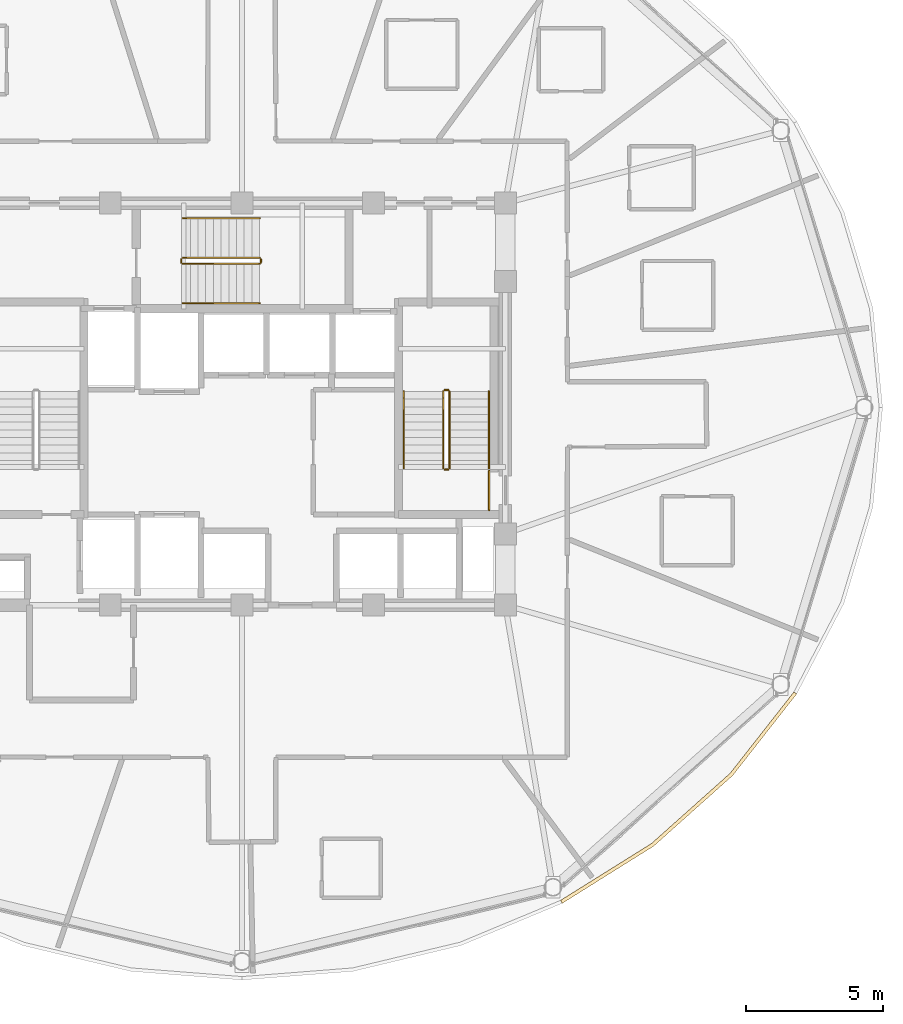
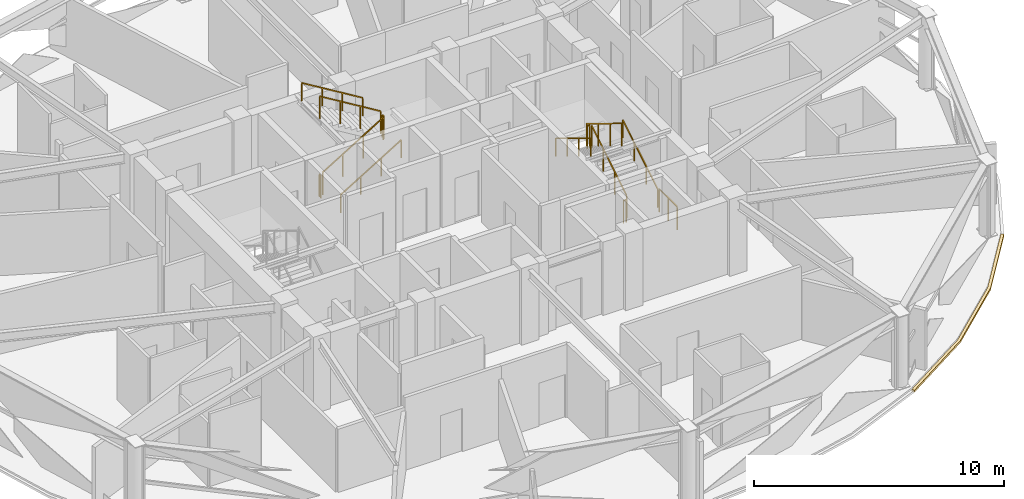
# One storey, part 29 of 30: 13 railings, 1 covering.
"""IFC4 building model written with IfcOpenShell, lengths in metres."""

import ifcopenshell
import ifcopenshell.guid

model = None  # the IFC model being written
_history = None  # IfcOwnerHistory: only IFC2X3 demands one
_inside = {}  # id of a spatial element -> (the spatial element, [elements in it])
_under = {}  # id of a project, library or spatial element -> (it, [spatial elements below it])
_declared = {}  # id of a project -> (the project, [libraries it declares])
_typed = {}  # id of a type object -> (the type object, [elements of that type])
_made_of = {}  # id of a material, layer set ... -> (it, [elements and type objects made of it])


def new_model(schema):
    """Start an empty IFC model of exactly this schema.

    Asked for "IFC4X3", IfcOpenShell would pick the latest addendum, in which some entities
    have other attributes; the version numbers below select the first issue.
    IFC2X3 requires an IfcOwnerHistory on every rooted entity: one is made here for all.
    """
    global model, _history
    if schema == "IFC4X3":
        model = ifcopenshell.file(schema_version=(4, 3, 0, 0))
    else:
        model = ifcopenshell.file(schema=schema)
    _inside.clear()
    _under.clear()
    _declared.clear()
    _typed.clear()
    _made_of.clear()
    _history = None
    if model.schema == "IFC2X3":
        org = make("IfcOrganization", Name="unknown")
        user = make(
            "IfcPersonAndOrganization",
            ThePerson=make("IfcPerson", FamilyName="unknown"),
            TheOrganization=org,
        )
        app = make(
            "IfcApplication",
            ApplicationDeveloper=org,
            Version="unknown",
            ApplicationFullName="unknown",
            ApplicationIdentifier="unknown",
        )
        _history = make(
            "IfcOwnerHistory",
            OwningUser=user,
            OwningApplication=app,
            ChangeAction="ADDED",
            CreationDate=0,
        )
    return model


def make(cls, **values):
    """One entity of the class cls with the attributes given. An attribute that is None is left unset."""
    return model.create_entity(
        cls, **{name: value for name, value in values.items() if value is not None}
    )


def rooted(cls, **values):
    """An entity with a GlobalId (a new one), such as an element, a storey or a relation."""
    return make(cls, GlobalId=ifcopenshell.guid.new(), OwnerHistory=_history, **values)


def si_unit(unit_type, name, prefix=None):
    """IfcSIUnit, for example si_unit("LENGTHUNIT", "METRE", prefix="MILLI")."""
    return make("IfcSIUnit", UnitType=unit_type, Prefix=prefix, Name=name)


def assignment(units):
    """IfcUnitAssignment: the units of a project."""
    return None if units is None else make("IfcUnitAssignment", Units=units)


def point(xyz):
    """IfcCartesianPoint."""
    return None if xyz is None else make("IfcCartesianPoint", Coordinates=xyz)


def direction(xyz):
    """IfcDirection."""
    return None if xyz is None else make("IfcDirection", DirectionRatios=xyz)


def frame(location, z_axis=None, x_axis=None):
    """IfcAxis2Placement3D, a coordinate frame: its origin and axes. An axis left out is left unset."""
    return make(
        "IfcAxis2Placement3D",
        Location=point(location),
        Axis=direction(z_axis),
        RefDirection=direction(x_axis),
    )


def frame_2d(location, x_axis=None):
    """IfcAxis2Placement2D, a coordinate frame in the plane: its origin and x axis."""
    return make(
        "IfcAxis2Placement2D", Location=point(location), RefDirection=direction(x_axis)
    )


def origin():
    """The frame at (0, 0, 0) with its axes left unset."""
    return frame((0.0, 0.0, 0.0))


def origin_2d():
    """The frame at (0, 0) in the plane with its x axis left unset."""
    return frame_2d((0.0, 0.0))


def place(relative_to, where):
    """IfcLocalPlacement: puts the frame where relative to a parent placement (None: the world)."""
    return make(
        "IfcLocalPlacement", PlacementRelTo=relative_to, RelativePlacement=where
    )


def context(
    kind, dimensions, precision=None, world=None, true_north=None, identifier=None
):
    """IfcGeometricRepresentationContext, for example the 3D "Model" context."""
    return make(
        "IfcGeometricRepresentationContext",
        ContextIdentifier=identifier,
        ContextType=kind,
        CoordinateSpaceDimension=dimensions,
        Precision=precision,
        WorldCoordinateSystem=world,
        TrueNorth=true_north,
    )


def subcontext(parent, identifier, kind, view, scale=None):
    """IfcGeometricRepresentationSubContext, for example "Body" below "Model"."""
    return make(
        "IfcGeometricRepresentationSubContext",
        ContextIdentifier=identifier,
        ContextType=kind,
        ParentContext=parent,
        TargetScale=scale,
        TargetView=view,
    )


def project(units=None, contexts=None):
    """IfcProject with its units and contexts."""
    return rooted(
        "IfcProject",
        Name="project",
        RepresentationContexts=contexts,
        UnitsInContext=assignment(units),
    )


def spatial(cls, under=None, at=None, **own):
    """A site, building, storey or space (cls), placed at a placement, below another one or the project."""
    s = rooted(cls, ObjectPlacement=at, **own)
    if under is not None:
        _under.setdefault(under.id(), (under, []))[1].append(s)
    return s


def polyline(points):
    """IfcPolyline through the points."""
    return make("IfcPolyline", Points=[point(p) for p in points])


def profile(cls, at=None, kind="AREA", **sizes):
    """A parametric profile (cls). Its sizes go by their IFC names, for example OverallWidth=200.0."""
    return make(cls, ProfileType=kind, Position=at, **sizes)


def rectangle(**sizes):
    """IfcRectangleProfileDef."""
    return profile("IfcRectangleProfileDef", **sizes)


def outline(outer, holes=None, kind="AREA"):
    """IfcArbitraryClosedProfileDef: a profile drawn as a closed curve; with holes, ...WithVoids."""
    if holes is None:
        return make("IfcArbitraryClosedProfileDef", ProfileType=kind, OuterCurve=outer)
    return make(
        "IfcArbitraryProfileDefWithVoids",
        ProfileType=kind,
        OuterCurve=outer,
        InnerCurves=holes,
    )


def extrude(swept, where, along, depth):
    """IfcExtrudedAreaSolid: the profile swept, set in the frame where, extruded along a direction by depth."""
    return make(
        "IfcExtrudedAreaSolid",
        SweptArea=swept,
        Position=where,
        ExtrudedDirection=direction(along),
        Depth=depth,
    )


def shape(context_of_items, identifier, shape_type, items):
    """IfcShapeRepresentation: the items that make up one representation, for example the "Body"."""
    return make(
        "IfcShapeRepresentation",
        ContextOfItems=context_of_items,
        RepresentationIdentifier=identifier,
        RepresentationType=shape_type,
        Items=items,
    )


def material(Name=None, Category=None):
    """IfcMaterial."""
    return make("IfcMaterial", Name=Name, Category=Category)


def layer(
    of_material, thickness, ventilated=None, Name=None, Category=None, Priority=None
):
    """IfcMaterialLayer: one layer of a wall or slab, of a material (None: an air gap)."""
    return make(
        "IfcMaterialLayer",
        Material=of_material,
        LayerThickness=thickness,
        IsVentilated=ventilated,
        Name=Name,
        Category=Category,
        Priority=Priority,
    )


def layer_set(layers, Name=None):
    """IfcMaterialLayerSet."""
    return make("IfcMaterialLayerSet", MaterialLayers=layers, LayerSetName=Name)


def made_of(thing, what):
    """Note that an element or type object is made of a material, layer set ...; save() writes the relation."""
    if what is not None:
        _made_of.setdefault(what.id(), (what, []))[1].append(thing)
    return thing


def type_object(cls, material=None, **own):
    """A type object (cls), such as IfcWallType, which elements share."""
    return made_of(rooted(cls, **own), material)


def element(
    cls,
    number,
    at=None,
    inside=None,
    cuts=None,
    type_object=None,
    material=None,
    context=None,
    identifier="Body",
    shape_type=None,
    held_by="IfcProductDefinitionShape",
    body=None,
    shapes=None,
    **own,
):
    """One element of the class cls, such as IfcWall. Its Tag is "e" and its number.

    at: its placement. inside: the storey or other place that contains it. cuts: it is an
    opening in that element (IfcRelVoidsElement). A single representation is given by context,
    identifier, shape_type and body (its items); several are given by shapes. held_by: the class
    of the entity that holds the representations. save() writes the other relations.
    """
    e = rooted(cls, Tag="e%d" % number, ObjectPlacement=at, **own)
    if body is not None:
        shapes = [shape(context, identifier, shape_type, body)]
    if shapes is not None:
        e.Representation = make(held_by, Representations=shapes)
    if inside is not None:
        _inside.setdefault(inside.id(), (inside, []))[1].append(e)
    if cuts is not None:
        rooted(
            "IfcRelVoidsElement", RelatingBuildingElement=cuts, RelatedOpeningElement=e
        )
    if type_object is not None:
        _typed.setdefault(type_object.id(), (type_object, []))[1].append(e)
    return made_of(e, material)


def aggregate(whole, parts):
    """IfcRelAggregates: a whole, such as a stair, and the parts it consists of."""
    return rooted("IfcRelAggregates", RelatingObject=whole, RelatedObjects=parts)


def save(model, path):
    """Write the relations noted so far, then the file.

    IfcRelAggregates (storeys below a building ...), IfcRelContainedInSpatialStructure (elements
    in a storey), IfcRelDefinesByType, IfcRelAssociatesMaterial and IfcRelDeclares: one each for
    every whole, place, type object, material and project.
    """
    for whole, parts in _under.values():
        aggregate(whole, parts)
    for where, things in _inside.values():
        rooted(
            "IfcRelContainedInSpatialStructure",
            RelatedElements=things,
            RelatingStructure=where,
        )
    for kind, things in _typed.values():
        rooted("IfcRelDefinesByType", RelatedObjects=things, RelatingType=kind)
    for what, things in _made_of.values():
        rooted("IfcRelAssociatesMaterial", RelatedObjects=things, RelatingMaterial=what)
    for by, libraries in _declared.values():
        rooted("IfcRelDeclares", RelatingContext=by, RelatedDefinitions=libraries)
    model.write(path)


model = new_model("IFC4")

# Units and contexts
model_context = context("Model", 3, precision=1e-05, world=origin(), true_north=direction((0.0, 1.0)))
body_context = subcontext(model_context, "Body", "Model", "MODEL_VIEW")
ifc_project = project(units=[si_unit("LENGTHUNIT", "METRE"), si_unit("AREAUNIT", "SQUARE_METRE"), si_unit("VOLUMEUNIT", "CUBIC_METRE"), si_unit("PLANEANGLEUNIT", "RADIAN"), si_unit("MASSUNIT", "GRAM", prefix="KILO")], contexts=[model_context])

# Site, building, storey
site_placement = place(None, origin())
site = spatial("IfcSite", under=ifc_project, at=site_placement, CompositionType="ELEMENT")
building_placement = place(site_placement, origin())
building = spatial("IfcBuilding", under=site, at=building_placement, Name="Vantalir Tower", CompositionType="ELEMENT")
storey_placement = place(building_placement, frame((0.0, 0.0, 193.64990234375)))
storey = spatial("IfcBuildingStorey", under=building, at=storey_placement, Name="L48", CompositionType="ELEMENT", Elevation=193.64990234375)

# Covering
ifc_material_1 = material(Name="Anodised champagne aluminium sill fascia", Category="aluminium")
ifc_layer = layer(ifc_material_1, 0.125)
ifc_layer_set = layer_set([ifc_layer], Name="Anodised champagne aluminium sill fascia")
covering_type = type_object("IfcCoveringType", Name="COV-SLAB-FASCIA-125", PredefinedType="CLADDING", material=ifc_layer_set)
covering_placement = place(storey_placement, frame((0.0, 0.0, -0.179931640625)))
element("IfcCovering", 1, at=covering_placement, inside=storey, type_object=covering_type, Name="L48 Perimeter Slab-Edge Sill Fascia 11", PredefinedType="CLADDING", context=body_context, shape_type="SweptSolid", body=[
    extrude(outline(polyline([(43.176025390625, 6.931884765625), (46.510009765625, 9.01806640625), (49.387939453125, 11.590087890625), (51.722900390625, 14.568115234375), (51.614013671875, 14.631103515625), (49.2919921875, 11.669921875), (46.428955078125, 9.114013671875), (43.113037109375, 7.0400390625), (43.176025390625, 6.931884765625)])), origin(), (0.0, 0.0, 1.0), 0.10498046875),
])

# Railings
ifc_material_2 = material(Name="Anodised aluminium and stainless steel guard", Category="steel")
railing_type_1 = type_object("IfcRailingType", Name="RAL-GUARD-1120", PredefinedType="GUARDRAIL", material=ifc_material_2)
railing_1_placement = place(storey_placement, frame((39.06005859375, 22.7900390625, 0.170654296875)))
element("IfcRailing", 2, at=railing_1_placement, inside=storey, type_object=railing_type_1, Name="L48 ST2 stair guard 1", PredefinedType="GUARDRAIL", context=body_context, shape_type="SweptSolid", body=[
    extrude(rectangle(XDim=0.048095703125, YDim=0.048095703125, at=origin_2d()), frame((0.0, 0.0, 1.09619140625), z_axis=(0.0, 0.854202870247, 0.519939858505), x_axis=(-1.0, 0.0, 0.0)), (0.0, 0.0, 1.0), 3.278076171875),
    extrude(rectangle(XDim=0.0419921875, YDim=0.0419921875, at=origin_2d()), origin(), (0.0, 0.0, 1.0), 1.072021484375),
    extrude(rectangle(XDim=0.0419921875, YDim=0.0419921875, at=origin_2d()), frame((0.0, 0.933349609375, 0.568115234375)), (0.0, 0.0, 1.0), 1.072021484375),
    extrude(rectangle(XDim=0.0419921875, YDim=0.0419921875, at=origin_2d()), frame((0.0, 1.86669921875, 1.13623046875)), (0.0, 0.0, 1.0), 1.072021484375),
    extrude(rectangle(XDim=0.0419921875, YDim=0.0419921875, at=origin_2d()), frame((0.0, 2.800048828125, 1.704345703125)), (0.0, 0.0, 1.0), 1.072021484375),
])
railing_2_placement = place(storey_placement, frame((39.010009765625, 25.639892578125, 1.875)))
element("IfcRailing", 3, at=railing_2_placement, inside=storey, type_object=railing_type_1, Name="L48 ST2 stair guard 2", PredefinedType="GUARDRAIL", context=body_context, shape_type="SweptSolid", body=[
    extrude(rectangle(XDim=0.048095703125, YDim=0.048095703125, at=origin_2d()), frame((0.0, 0.0, 1.09619140625), z_axis=(-1.0, 0.0, 0.0), x_axis=(0.0, -1.0, 0.0)), (0.0, 0.0, 1.0), 0.1201171875),
    extrude(rectangle(XDim=0.0419921875, YDim=0.0419921875, at=origin_2d()), origin(), (0.0, 0.0, 1.0), 1.072021484375),
    extrude(rectangle(XDim=0.0419921875, YDim=0.0419921875, at=origin_2d()), frame((-0.1201171875, 0.0, 0.0)), (0.0, 0.0, 1.0), 1.072021484375),
])
railing_3_placement = place(storey_placement, frame((38.840087890625, 25.590087890625, 2.045654296875)))
element("IfcRailing", 4, at=railing_3_placement, inside=storey, type_object=railing_type_1, Name="L48 ST2 stair guard 3", PredefinedType="GUARDRAIL", context=body_context, shape_type="SweptSolid", body=[
    extrude(rectangle(XDim=0.048095703125, YDim=0.048095703125, at=origin_2d()), frame((0.0, 0.0, 1.09619140625), z_axis=(0.0, -0.854202870247, 0.519939858505), x_axis=(1.0, 0.0, 0.0)), (0.0, 0.0, 1.0), 3.278076171875),
    extrude(rectangle(XDim=0.0419921875, YDim=0.0419921875, at=origin_2d()), origin(), (0.0, 0.0, 1.0), 1.072021484375),
    extrude(rectangle(XDim=0.0419921875, YDim=0.0419921875, at=origin_2d()), frame((0.0, -0.933349609375, 0.568115234375)), (0.0, 0.0, 1.0), 1.072021484375),
    extrude(rectangle(XDim=0.0419921875, YDim=0.0419921875, at=origin_2d()), frame((0.0, -1.86669921875, 1.13623046875)), (0.0, 0.0, 1.0), 1.072021484375),
    extrude(rectangle(XDim=0.0419921875, YDim=0.0419921875, at=origin_2d()), frame((0.0, -2.800048828125, 1.704345703125)), (0.0, 0.0, 1.0), 1.072021484375),
])
railing_4_placement = place(storey_placement, frame((39.010009765625, 22.739990234375, 0.0)))
element("IfcRailing", 5, at=railing_4_placement, inside=storey, type_object=railing_type_1, Name="L48 ST2 stair guard 4", PredefinedType="GUARDRAIL", context=body_context, shape_type="SweptSolid", body=[
    extrude(rectangle(XDim=0.048095703125, YDim=0.048095703125, at=origin_2d()), frame((0.0, 0.0, 1.09619140625), z_axis=(-1.0, 0.0, 0.0), x_axis=(0.0, -1.0, 0.0)), (0.0, 0.0, 1.0), 0.1201171875),
    extrude(rectangle(XDim=0.0419921875, YDim=0.0419921875, at=origin_2d()), origin(), (0.0, 0.0, 1.0), 1.072021484375),
    extrude(rectangle(XDim=0.0419921875, YDim=0.0419921875, at=origin_2d()), frame((-0.1201171875, 0.0, 0.0)), (0.0, 0.0, 1.0), 1.072021484375),
])
railing_5_placement = place(storey_placement, frame((29.340087890625, 30.239990234375, 0.170654296875)))
element("IfcRailing", 6, at=railing_5_placement, inside=storey, type_object=railing_type_1, Name="L48 ST3 stair guard 1", PredefinedType="GUARDRAIL", context=body_context, shape_type="SweptSolid", body=[
    extrude(rectangle(XDim=0.048095703125, YDim=0.048095703125, at=origin_2d()), frame((0.0, 0.0, 1.09619140625), z_axis=(0.854182733786, 0.0, 0.519972939009), x_axis=(0.0, 1.0, 0.0)), (0.0, 0.0, 1.0), 3.27783203125),
    extrude(rectangle(XDim=0.0419921875, YDim=0.0419921875, at=origin_2d()), origin(), (0.0, 0.0, 1.0), 1.072021484375),
    extrude(rectangle(XDim=0.0419921875, YDim=0.0419921875, at=origin_2d()), frame((0.933349609375, 0.0, 0.568115234375)), (0.0, 0.0, 1.0), 1.072021484375),
    extrude(rectangle(XDim=0.0419921875, YDim=0.0419921875, at=origin_2d()), frame((1.866455078125, 0.0, 1.13623046875)), (0.0, 0.0, 1.0), 1.072021484375),
    extrude(rectangle(XDim=0.0419921875, YDim=0.0419921875, at=origin_2d()), frame((2.7998046875, 0.0, 1.704345703125)), (0.0, 0.0, 1.0), 1.072021484375),
])
railing_6_placement = place(storey_placement, frame((32.18994140625, 30.2900390625, 1.875)))
element("IfcRailing", 7, at=railing_6_placement, inside=storey, type_object=railing_type_1, Name="L48 ST3 stair guard 2", PredefinedType="GUARDRAIL", context=body_context, shape_type="SweptSolid", body=[
    extrude(rectangle(XDim=0.048095703125, YDim=0.048095703125, at=origin_2d()), frame((0.0, 0.0, 1.09619140625), z_axis=(0.0, 1.0, 0.0), x_axis=(-1.0, 0.0, 0.0)), (0.0, 0.0, 1.0), 0.119873046875),
    extrude(rectangle(XDim=0.0419921875, YDim=0.0419921875, at=origin_2d()), origin(), (0.0, 0.0, 1.0), 1.072021484375),
    extrude(rectangle(XDim=0.0419921875, YDim=0.0419921875, at=origin_2d()), frame((0.0, 0.119873046875, 0.0)), (0.0, 0.0, 1.0), 1.072021484375),
])
railing_7_placement = place(storey_placement, frame((32.139892578125, 30.4599609375, 2.045654296875)))
element("IfcRailing", 8, at=railing_7_placement, inside=storey, type_object=railing_type_1, Name="L48 ST3 stair guard 3", PredefinedType="GUARDRAIL", context=body_context, shape_type="SweptSolid", body=[
    extrude(rectangle(XDim=0.048095703125, YDim=0.048095703125, at=origin_2d()), frame((0.0, 0.0, 1.09619140625), z_axis=(-0.854182733786, 0.0, 0.519972939009), x_axis=(0.0, -1.0, 0.0)), (0.0, 0.0, 1.0), 3.27783203125),
    extrude(rectangle(XDim=0.0419921875, YDim=0.0419921875, at=origin_2d()), origin(), (0.0, 0.0, 1.0), 1.072021484375),
    extrude(rectangle(XDim=0.0419921875, YDim=0.0419921875, at=origin_2d()), frame((-0.933349609375, 0.0, 0.568115234375)), (0.0, 0.0, 1.0), 1.072021484375),
    extrude(rectangle(XDim=0.0419921875, YDim=0.0419921875, at=origin_2d()), frame((-1.866455078125, 0.0, 1.13623046875)), (0.0, 0.0, 1.0), 1.072021484375),
    extrude(rectangle(XDim=0.0419921875, YDim=0.0419921875, at=origin_2d()), frame((-2.7998046875, 0.0, 1.704345703125)), (0.0, 0.0, 1.0), 1.072021484375),
])
railing_8_placement = place(storey_placement, frame((29.2900390625, 30.2900390625, 0.0)))
element("IfcRailing", 9, at=railing_8_placement, inside=storey, type_object=railing_type_1, Name="L48 ST3 stair guard 4", PredefinedType="GUARDRAIL", context=body_context, shape_type="SweptSolid", body=[
    extrude(rectangle(XDim=0.048095703125, YDim=0.048095703125, at=origin_2d()), frame((0.0, 0.0, 1.09619140625), z_axis=(0.0, 1.0, 0.0), x_axis=(-1.0, 0.0, 0.0)), (0.0, 0.0, 1.0), 0.119873046875),
    extrude(rectangle(XDim=0.0419921875, YDim=0.0419921875, at=origin_2d()), origin(), (0.0, 0.0, 1.0), 1.072021484375),
    extrude(rectangle(XDim=0.0419921875, YDim=0.0419921875, at=origin_2d()), frame((0.0, 0.119873046875, 0.0)), (0.0, 0.0, 1.0), 1.072021484375),
])
railing_9_placement = place(storey_placement, frame((40.510009765625, 21.260009765625, 0.0)))
element("IfcRailing", 10, at=railing_9_placement, inside=storey, type_object=railing_type_1, Name="L48 Stair ST2 Doorway Landing Guard", PredefinedType="GUARDRAIL", context=body_context, shape_type="SweptSolid", body=[
    extrude(rectangle(XDim=0.048095703125, YDim=0.048095703125, at=origin_2d()), frame((0.0, 0.0, 1.1259765625), z_axis=(0.0, 1.0, 0.0), x_axis=(-1.0, 0.0, 0.0)), (0.0, 0.0, 1.0), 1.43994140625),
    extrude(rectangle(XDim=0.0419921875, YDim=0.0419921875, at=origin_2d()), origin(), (0.0, 0.0, 1.0), 1.101806640625),
    extrude(rectangle(XDim=0.0419921875, YDim=0.0419921875, at=origin_2d()), frame((0.0, 0.719970703125, 0.0)), (0.0, 0.0, 1.0), 1.101806640625),
    extrude(rectangle(XDim=0.0419921875, YDim=0.0419921875, at=origin_2d()), frame((0.0, 1.43994140625, 0.0)), (0.0, 0.0, 1.0), 1.101806640625),
])
ifc_material_3 = material(Name="Brushed stainless steel tubular handrail", Category="steel")
railing_type_2 = type_object("IfcRailingType", Name="RAL-HANDRAIL-900", PredefinedType="HANDRAIL", material=ifc_material_3)
railing_10_placement = place(storey_placement, frame((40.5, 22.7900390625, 0.170654296875)))
element("IfcRailing", 11, at=railing_10_placement, inside=storey, type_object=railing_type_2, Name="L48 ST2 stair handrail 1", PredefinedType="HANDRAIL", context=body_context, shape_type="SweptSolid", body=[
    extrude(rectangle(XDim=0.048095703125, YDim=0.048095703125, at=origin_2d()), frame((0.0, 0.0, 0.8759765625), z_axis=(0.0, 0.854202870247, 0.519939858505), x_axis=(-1.0, 0.0, 0.0)), (0.0, 0.0, 1.0), 3.278076171875),
    extrude(rectangle(XDim=0.0419921875, YDim=0.0419921875, at=origin_2d()), origin(), (0.0, 0.0, 1.0), 0.851806640625),
    extrude(rectangle(XDim=0.0419921875, YDim=0.0419921875, at=origin_2d()), frame((0.0, 0.933349609375, 0.568115234375)), (0.0, 0.0, 1.0), 0.851806640625),
    extrude(rectangle(XDim=0.0419921875, YDim=0.0419921875, at=origin_2d()), frame((0.0, 1.86669921875, 1.13623046875)), (0.0, 0.0, 1.0), 0.851806640625),
    extrude(rectangle(XDim=0.0419921875, YDim=0.0419921875, at=origin_2d()), frame((0.0, 2.800048828125, 1.704345703125)), (0.0, 0.0, 1.0), 0.851806640625),
])
railing_11_placement = place(storey_placement, frame((37.39990234375, 25.590087890625, 2.045654296875)))
element("IfcRailing", 12, at=railing_11_placement, inside=storey, type_object=railing_type_2, Name="L48 ST2 stair handrail 2", PredefinedType="HANDRAIL", context=body_context, shape_type="SweptSolid", body=[
    extrude(rectangle(XDim=0.048095703125, YDim=0.048095703125, at=origin_2d()), frame((0.0, 0.0, 0.8759765625), z_axis=(0.0, -0.854202870247, 0.519939858505), x_axis=(1.0, 0.0, 0.0)), (0.0, 0.0, 1.0), 3.278076171875),
    extrude(rectangle(XDim=0.0419921875, YDim=0.0419921875, at=origin_2d()), origin(), (0.0, 0.0, 1.0), 0.851806640625),
    extrude(rectangle(XDim=0.0419921875, YDim=0.0419921875, at=origin_2d()), frame((0.0, -0.933349609375, 0.568115234375)), (0.0, 0.0, 1.0), 0.851806640625),
    extrude(rectangle(XDim=0.0419921875, YDim=0.0419921875, at=origin_2d()), frame((0.0, -1.86669921875, 1.13623046875)), (0.0, 0.0, 1.0), 0.851806640625),
    extrude(rectangle(XDim=0.0419921875, YDim=0.0419921875, at=origin_2d()), frame((0.0, -2.800048828125, 1.704345703125)), (0.0, 0.0, 1.0), 0.851806640625),
])
railing_12_placement = place(storey_placement, frame((29.340087890625, 28.800048828125, 0.170654296875)))
element("IfcRailing", 13, at=railing_12_placement, inside=storey, type_object=railing_type_2, Name="L48 ST3 stair handrail 1", PredefinedType="HANDRAIL", context=body_context, shape_type="SweptSolid", body=[
    extrude(rectangle(XDim=0.048095703125, YDim=0.048095703125, at=origin_2d()), frame((0.0, 0.0, 0.8759765625), z_axis=(0.854182733786, 0.0, 0.519972939009), x_axis=(0.0, 1.0, 0.0)), (0.0, 0.0, 1.0), 3.27783203125),
    extrude(rectangle(XDim=0.0419921875, YDim=0.0419921875, at=origin_2d()), origin(), (0.0, 0.0, 1.0), 0.851806640625),
    extrude(rectangle(XDim=0.0419921875, YDim=0.0419921875, at=origin_2d()), frame((0.933349609375, 0.0, 0.568115234375)), (0.0, 0.0, 1.0), 0.851806640625),
    extrude(rectangle(XDim=0.0419921875, YDim=0.0419921875, at=origin_2d()), frame((1.866455078125, 0.0, 1.13623046875)), (0.0, 0.0, 1.0), 0.851806640625),
    extrude(rectangle(XDim=0.0419921875, YDim=0.0419921875, at=origin_2d()), frame((2.7998046875, 0.0, 1.704345703125)), (0.0, 0.0, 1.0), 0.851806640625),
])
railing_13_placement = place(storey_placement, frame((32.139892578125, 31.89990234375, 2.045654296875)))
element("IfcRailing", 14, at=railing_13_placement, inside=storey, type_object=railing_type_2, Name="L48 ST3 stair handrail 2", PredefinedType="HANDRAIL", context=body_context, shape_type="SweptSolid", body=[
    extrude(rectangle(XDim=0.048095703125, YDim=0.048095703125, at=origin_2d()), frame((0.0, 0.0, 0.8759765625), z_axis=(-0.854182733786, 0.0, 0.519972939009), x_axis=(0.0, -1.0, 0.0)), (0.0, 0.0, 1.0), 3.27783203125),
    extrude(rectangle(XDim=0.0419921875, YDim=0.0419921875, at=origin_2d()), origin(), (0.0, 0.0, 1.0), 0.851806640625),
    extrude(rectangle(XDim=0.0419921875, YDim=0.0419921875, at=origin_2d()), frame((-0.933349609375, 0.0, 0.568115234375)), (0.0, 0.0, 1.0), 0.851806640625),
    extrude(rectangle(XDim=0.0419921875, YDim=0.0419921875, at=origin_2d()), frame((-1.866455078125, 0.0, 1.13623046875)), (0.0, 0.0, 1.0), 0.851806640625),
    extrude(rectangle(XDim=0.0419921875, YDim=0.0419921875, at=origin_2d()), frame((-2.7998046875, 0.0, 1.704345703125)), (0.0, 0.0, 1.0), 0.851806640625),
])

save(model, "model.ifc")
